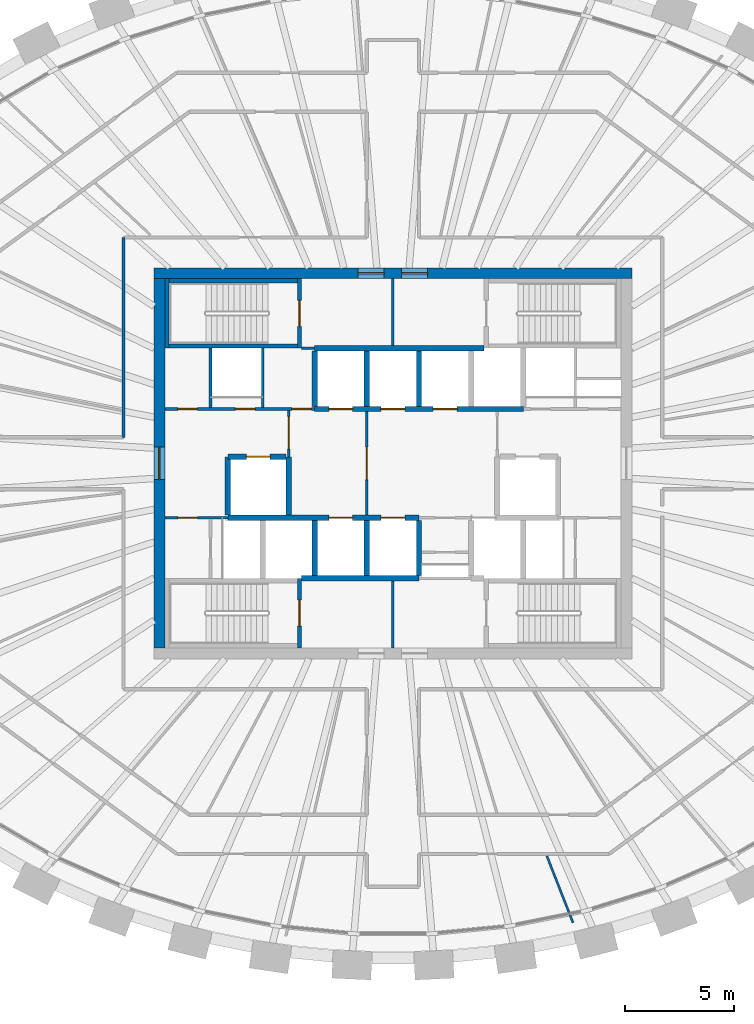
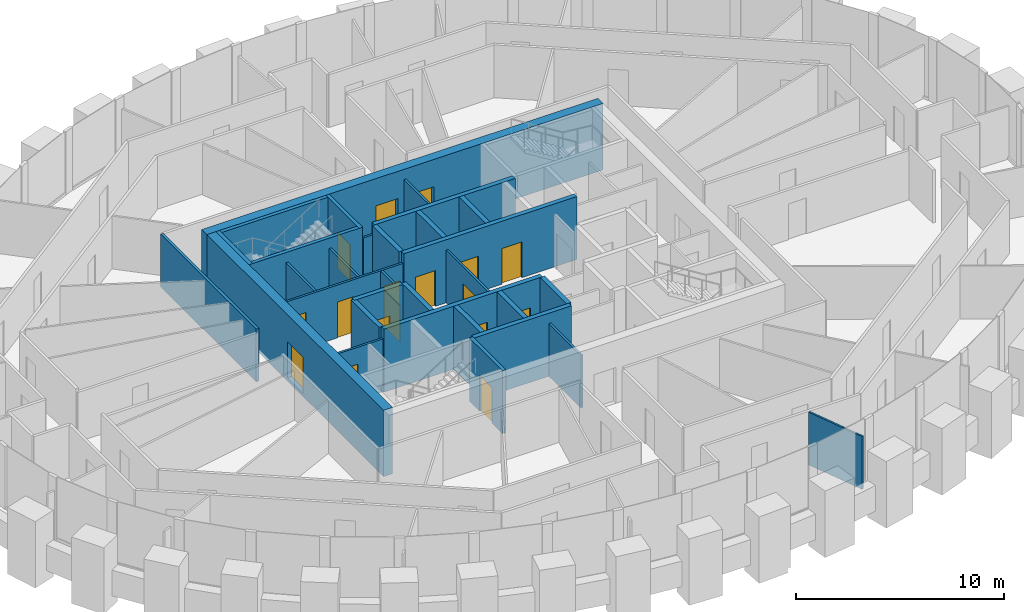
# One storey, part 7 of 12: 31 walls, 17 doors, 17 openings.
"""IFC4 building model written with IfcOpenShell, lengths in metres."""

from ifc_helpers import new_model, si_unit, direction, frame, frame_2d, origin, place, context, subcontext, project, spatial, rectangle, extrude, source, transform, mapped, material, layer, layer_set, type_object, element, fill, save


model = new_model("IFC4")

# Units and contexts
model_context = context("Model", 3, precision=1e-05, world=origin(), true_north=direction((0.0, 1.0)))
body_context = subcontext(model_context, "Body", "Model", "MODEL_VIEW")
ifc_project = project(units=[si_unit("LENGTHUNIT", "METRE"), si_unit("AREAUNIT", "SQUARE_METRE"), si_unit("VOLUMEUNIT", "CUBIC_METRE"), si_unit("PLANEANGLEUNIT", "RADIAN"), si_unit("MASSUNIT", "GRAM", prefix="KILO")], contexts=[model_context])

# Site, building, storey
site_placement = place(None, origin())
site = spatial("IfcSite", under=ifc_project, at=site_placement, CompositionType="ELEMENT")
building_placement = place(site_placement, origin())
building = spatial("IfcBuilding", under=site, at=building_placement, Name="Embergate Tower", CompositionType="ELEMENT")
storey_placement = place(building_placement, frame((0.0, 0.0, 320.800048828125)))
storey = spatial("IfcBuildingStorey", under=building, at=storey_placement, Name="L75", CompositionType="ELEMENT", Elevation=320.800048828125)

# Wall, openings, doors
ifc_material_1 = material(Name="Concrete C50", Category="concrete")
ifc_layer_1 = layer(ifc_material_1, 0.5)
ifc_layer_set_1 = layer_set([ifc_layer_1], Name="Concrete C50")
wall_type_1 = type_object("IfcWallType", Name="Core outer wall C50 500", PredefinedType="SHEAR", material=ifc_layer_set_1)
shared_shape_1 = source(origin(), body_context, "Body", "SweptSolid", [
    extrude(rectangle(XDim=22.0, YDim=0.5, at=frame_2d((11.0, 0.0))), origin(), (0.0, 0.0, 1.0), 3.89990234375),
])
wall_1_placement = place(storey_placement, frame((-11.0, 8.75, -0.199951171875), z_axis=(0.0, 0.0, 1.0), x_axis=(1.0, 0.0, 0.0)))
wall_1 = element("IfcWall", 1, at=wall_1_placement, inside=storey, type_object=wall_type_1, Name="CW-L75-N", PredefinedType="SHEAR", context=body_context, shape_type="MappedRepresentation", body=[
    mapped(shared_shape_1, transform((0.0, 0.0, 0.0))),
])
shared_shape_2 = source(origin(), body_context, "Body", "SweptSolid", [
    extrude(rectangle(XDim=1.199951171875, YDim=2.10009765625, at=frame_2d((0.60009765625, 1.050048828125))), frame((0.0, 0.260009765625, 0.0), z_axis=(0.0, -1.0, 0.0), x_axis=(1.0, 0.0, 0.0)), (0.0, 0.0, 1.0), 0.52001953125),
])
opening_1_placement = place(wall_1_placement, frame((9.39990234375, 0.0, 0.199951171875)))
opening_1 = element("IfcOpeningElement", 2, at=opening_1_placement, cuts=wall_1, Name="Opening IF-1", PredefinedType="OPENING", context=body_context, shape_type="MappedRepresentation", body=[
    mapped(shared_shape_2, transform((0.0, 0.0, 0.0))),
])
opening_2_placement = place(wall_1_placement, frame((11.39990234375, 0.0, 0.199951171875)))
opening_2 = element("IfcOpeningElement", 3, at=opening_2_placement, cuts=wall_1, Name="Opening IF-1", PredefinedType="OPENING", context=body_context, shape_type="MappedRepresentation", body=[
    mapped(shared_shape_2, transform((0.0, 0.0, 0.0))),
])
ifc_material_2 = material(Name="Escape fire door 1200")
door_type_1 = type_object("IfcDoorType", Name="Escape fire door 1200", OperationType="SINGLE_SWING_LEFT", PredefinedType="DOOR", material=ifc_material_2)
shared_shape_3 = source(origin(), body_context, "Body", "SweptSolid", [
    extrude(rectangle(XDim=1.199951171875, YDim=2.10009765625, at=frame_2d((0.60009765625, 1.050048828125))), frame((0.0, 0.02490234375, 0.0), z_axis=(0.0, -1.0, 0.0), x_axis=(1.0, 0.0, 0.0)), (0.0, 0.0, 1.0), 0.050048828125),
])
door_1_placement = place(opening_1_placement, origin())
door_1 = element("IfcDoor", 4, at=door_1_placement, inside=storey, type_object=door_type_1, Name="IF-1 door", OperationType="SINGLE_SWING_LEFT", OverallHeight=2.10009765625, OverallWidth=1.199951171875, PredefinedType="DOOR", context=body_context, shape_type="MappedRepresentation", body=[
    mapped(shared_shape_3, transform((0.0, 0.0, 0.0))),
])
fill(opening_1, door_1)
door_2_placement = place(opening_2_placement, origin())
door_2 = element("IfcDoor", 5, at=door_2_placement, inside=storey, type_object=door_type_1, Name="IF-1 door", OperationType="SINGLE_SWING_RIGHT", OverallHeight=2.10009765625, OverallWidth=1.199951171875, PredefinedType="DOOR", context=body_context, shape_type="MappedRepresentation", body=[
    mapped(shared_shape_3, transform((0.0, 0.0, 0.0))),
])
fill(opening_2, door_2)

# Wall, opening, door
shared_shape_4 = source(origin(), body_context, "Body", "SweptSolid", [
    extrude(rectangle(XDim=17.0, YDim=0.5, at=frame_2d((8.5, 0.0))), origin(), (0.0, 0.0, 1.0), 3.89990234375),
])
wall_2_placement = place(storey_placement, frame((-10.75, -8.5, -0.199951171875), z_axis=(0.0, 0.0, 1.0), x_axis=(0.0, 1.0, 0.0)))
wall_2 = element("IfcWall", 6, at=wall_2_placement, inside=storey, type_object=wall_type_1, Name="CW-L75-W", PredefinedType="SHEAR", context=body_context, shape_type="MappedRepresentation", body=[
    mapped(shared_shape_4, transform((0.0, 0.0, 0.0))),
])
shared_shape_5 = source(origin(), body_context, "Body", "SweptSolid", [
    extrude(rectangle(XDim=1.5, YDim=2.10009765625, at=frame_2d((0.75, 1.050048828125))), frame((0.0, 0.260009765625, 0.0), z_axis=(0.0, -1.0, 0.0), x_axis=(1.0, 0.0, 0.0)), (0.0, 0.0, 1.0), 0.52001953125),
])
opening_3_placement = place(wall_2_placement, frame((7.75, 0.0, 0.199951171875)))
opening_3 = element("IfcOpeningElement", 7, at=opening_3_placement, cuts=wall_2, Name="Opening IF-3", PredefinedType="OPENING", context=body_context, shape_type="MappedRepresentation", body=[
    mapped(shared_shape_5, transform((0.0, 0.0, 0.0))),
])
ifc_material_3 = material(Name="Lobby fire door pair 1500")
door_type_2 = type_object("IfcDoorType", Name="Lobby fire door pair 1500", OperationType="DOUBLE_DOOR_SINGLE_SWING", PredefinedType="DOOR", material=ifc_material_3)
shared_shape_6 = source(origin(), body_context, "Body", "SweptSolid", [
    extrude(rectangle(XDim=1.5, YDim=2.10009765625, at=frame_2d((0.75, 1.050048828125))), frame((0.0, 0.02490234375, 0.0), z_axis=(0.0, -1.0, 0.0), x_axis=(1.0, 0.0, 0.0)), (0.0, 0.0, 1.0), 0.050048828125),
])
door_3_placement = place(opening_3_placement, origin())
door_3 = element("IfcDoor", 8, at=door_3_placement, inside=storey, type_object=door_type_2, Name="IF-3 door", OperationType="DOUBLE_DOOR_SINGLE_SWING", OverallHeight=2.10009765625, OverallWidth=1.5, PredefinedType="DOOR", context=body_context, shape_type="MappedRepresentation", body=[
    mapped(shared_shape_6, transform((0.0, 0.0, 0.0))),
])
fill(opening_3, door_3)

# Wall
ifc_layer_2 = layer(ifc_material_1, 0.25)
ifc_layer_set_2 = layer_set([ifc_layer_2], Name="Concrete C50")
wall_type_2 = type_object("IfcWallType", Name="Hoistway wall reinforced concrete 250", PredefinedType="SHEAR", material=ifc_layer_set_2)
shared_shape_7 = source(origin(), body_context, "Body", "SweptSolid", [
    extrude(rectangle(XDim=2.675048828125, YDim=0.25, at=frame_2d((1.33740234375, 0.0))), origin(), (0.0, 0.0, 1.0), 3.699951171875),
])
wall_3_placement = place(storey_placement, frame((-4.800048828125, 0.300048828125, 0.0), z_axis=(0.0, 0.0, 1.0), x_axis=(0.0, -1.0, 0.0)))
element("IfcWall", 9, at=wall_3_placement, inside=storey, type_object=wall_type_2, Name="HW-1 wall", PredefinedType="SHEAR", context=body_context, shape_type="MappedRepresentation", body=[
    mapped(shared_shape_7, transform((0.0, 0.0, 0.0))),
])

# Wall, opening, door
wall_4_placement = place(storey_placement, frame((-4.925048828125, 0.300048828125, 0.0), z_axis=(0.0, 0.0, 1.0), x_axis=(-1.0, 0.0, 0.0)))
wall_4 = element("IfcWall", 10, at=wall_4_placement, inside=storey, type_object=wall_type_2, Name="HW-1 wall", PredefinedType="SHEAR", context=body_context, shape_type="MappedRepresentation", body=[
    mapped(shared_shape_7, transform((0.0, 0.0, 0.0))),
])
shared_shape_8 = source(origin(), body_context, "Body", "SweptSolid", [
    extrude(rectangle(XDim=1.10009765625, YDim=2.10009765625, at=frame_2d((0.550048828125, 1.050048828125))), frame((0.0, 0.135009765625, 0.0), z_axis=(0.0, -1.0, 0.0), x_axis=(1.0, 0.0, 0.0)), (0.0, 0.0, 1.0), 0.27001953125),
])
opening_4_placement = place(wall_4_placement, frame((0.72509765625, 0.0, 0.0)))
opening_4 = element("IfcOpeningElement", 11, at=opening_4_placement, cuts=wall_4, Name="Opening LD", PredefinedType="OPENING", context=body_context, shape_type="MappedRepresentation", body=[
    mapped(shared_shape_8, transform((0.0, 0.0, 0.0))),
])
ifc_material_4 = material(Name="Landing door sliding 1100")
door_type_3 = type_object("IfcDoorType", Name="Landing door sliding 1100", OperationType="SLIDING_TO_LEFT", PredefinedType="DOOR", material=ifc_material_4)
shared_shape_9 = source(origin(), body_context, "Body", "SweptSolid", [
    extrude(rectangle(XDim=1.10009765625, YDim=2.10009765625, at=frame_2d((0.550048828125, 1.050048828125))), frame((0.0, 0.02490234375, 0.0), z_axis=(0.0, -1.0, 0.0), x_axis=(1.0, 0.0, 0.0)), (0.0, 0.0, 1.0), 0.050048828125),
])
door_4_placement = place(opening_4_placement, origin())
door_4 = element("IfcDoor", 12, at=door_4_placement, inside=storey, type_object=door_type_3, Name="LD door", OperationType="SLIDING_TO_RIGHT", OverallHeight=2.10009765625, OverallWidth=1.10009765625, PredefinedType="DOOR", context=body_context, shape_type="MappedRepresentation", body=[
    mapped(shared_shape_9, transform((0.0, 0.0, 0.0))),
])
fill(opening_4, door_4)

# Walls
wall_5_placement = place(storey_placement, frame((-7.60009765625, 0.300048828125, 0.0), z_axis=(0.0, 0.0, 1.0), x_axis=(0.0, -1.0, 0.0)))
element("IfcWall", 13, at=wall_5_placement, inside=storey, type_object=wall_type_2, Name="HW-1 wall", PredefinedType="SHEAR", context=body_context, shape_type="MappedRepresentation", body=[
    mapped(shared_shape_7, transform((0.0, 0.0, 0.0))),
])
ifc_layer_3 = layer(ifc_material_1, 0.199951171875)
ifc_layer_set_3 = layer_set([ifc_layer_3], Name="Concrete C50")
wall_type_3 = type_object("IfcWallType", Name="Stair enclosure wall reinforced concrete 250", PredefinedType="SHEAR", material=ifc_layer_set_3)
shared_shape_10 = source(origin(), body_context, "Body", "SweptSolid", [
    extrude(rectangle(XDim=6.300048828125, YDim=0.199951171875, at=frame_2d((3.14990234375, 0.0))), origin(), (0.0, 0.0, 1.0), 3.699951171875),
])
wall_6_placement = place(storey_placement, frame((-4.199951171875, 5.39990234375, 0.0), z_axis=(0.0, 0.0, 1.0), x_axis=(-1.0, 0.0, 0.0)))
element("IfcWall", 14, at=wall_6_placement, inside=storey, type_object=wall_type_3, Name="SE-1 wall", PredefinedType="SHEAR", context=body_context, shape_type="MappedRepresentation", body=[
    mapped(shared_shape_10, transform((0.0, 0.0, 0.0))),
])
shared_shape_11 = source(origin(), body_context, "Body", "SweptSolid", [
    extrude(rectangle(XDim=2.550048828125, YDim=0.25, at=frame_2d((1.27490234375, 0.0))), origin(), (0.0, 0.0, 1.0), 3.699951171875),
])
for number, where, z_axis, x_axis, name in (
    (15, (-1.199951171875, 2.625, 0.0), (0.0, 0.0, 1.0), (0.0, 1.0, 0.0), "HW-1 wall"),
    (16, (-3.60009765625, 5.175048828125, 0.0), (0.0, 0.0, 1.0), (0.0, -1.0, 0.0), "HW-1 wall"),
    (17, (1.199951171875, 2.625, 0.0), (0.0, 0.0, 1.0), (0.0, 1.0, 0.0), "HW-1 wall"),
    (18, (-3.60009765625, -5.175048828125, 0.0), (0.0, 0.0, 1.0), (0.0, 1.0, 0.0), "HW-1 wall"),
    (19, (-1.199951171875, -5.175048828125, 0.0), (0.0, 0.0, 1.0), (0.0, 1.0, 0.0), "HW-1 wall"),
    (20, (1.199951171875, -5.175048828125, 0.0), (0.0, 0.0, 1.0), (0.0, 1.0, 0.0), "HW-1 wall"),
):
    element("IfcWall", number, at=place(storey_placement, frame(where, z_axis=z_axis, x_axis=x_axis)), inside=storey, type_object=wall_type_2, Name=name, PredefinedType="SHEAR", context=body_context, shape_type="MappedRepresentation", body=[
        mapped(shared_shape_11, transform((0.0, 0.0, 0.0))),
    ])

# Wall, opening, door
shared_shape_12 = source(origin(), body_context, "Body", "SweptSolid", [
    extrude(rectangle(XDim=3.199951171875, YDim=0.199951171875, at=frame_2d((1.60009765625, 0.0))), origin(), (0.0, 0.0, 1.0), 3.699951171875),
])
wall_7_placement = place(storey_placement, frame((-4.300048828125, 5.300048828125, 0.0), z_axis=(0.0, 0.0, 1.0), x_axis=(0.0, 1.0, 0.0)))
wall_7 = element("IfcWall", 21, at=wall_7_placement, inside=storey, type_object=wall_type_3, Name="SE-1 wall", PredefinedType="SHEAR", context=body_context, shape_type="MappedRepresentation", body=[
    mapped(shared_shape_12, transform((0.0, 0.0, 0.0))),
])
shared_shape_13 = source(origin(), body_context, "Body", "SweptSolid", [
    extrude(rectangle(XDim=1.199951171875, YDim=2.10009765625, at=frame_2d((0.60009765625, 1.050048828125))), frame((0.0, 0.10986328125, 0.0), z_axis=(0.0, -1.0, 0.0), x_axis=(1.0, 0.0, 0.0)), (0.0, 0.0, 1.0), 0.219970703125),
])
opening_5_placement = place(wall_7_placement, frame((1.0, 0.0, 0.0)))
opening_5 = element("IfcOpeningElement", 22, at=opening_5_placement, cuts=wall_7, Name="Opening IF-2", PredefinedType="OPENING", context=body_context, shape_type="MappedRepresentation", body=[
    mapped(shared_shape_13, transform((0.0, 0.0, 0.0))),
])
ifc_material_5 = material(Name="Stair enclosure door 1200")
door_type_4 = type_object("IfcDoorType", Name="Stair enclosure door 1200", OperationType="SINGLE_SWING_LEFT", PredefinedType="DOOR", material=ifc_material_5)
door_5_placement = place(opening_5_placement, origin())
door_5 = element("IfcDoor", 23, at=door_5_placement, inside=storey, type_object=door_type_4, Name="IF-2 door", OperationType="SINGLE_SWING_LEFT", OverallHeight=2.10009765625, OverallWidth=1.199951171875, PredefinedType="DOOR", context=body_context, shape_type="MappedRepresentation", body=[
    mapped(shared_shape_3, transform((0.0, 0.0, 0.0))),
])
fill(opening_5, door_5)

wall_8_placement = place(storey_placement, frame((-4.300048828125, -8.5, 0.0), z_axis=(0.0, 0.0, 1.0), x_axis=(0.0, 1.0, 0.0)))
wall_8 = element("IfcWall", 24, at=wall_8_placement, inside=storey, type_object=wall_type_3, Name="SE-1 wall", PredefinedType="SHEAR", context=body_context, shape_type="MappedRepresentation", body=[
    mapped(shared_shape_12, transform((0.0, 0.0, 0.0))),
])
opening_6_placement = place(wall_8_placement, frame((1.0, 0.0, 0.0)))
opening_6 = element("IfcOpeningElement", 25, at=opening_6_placement, cuts=wall_8, Name="Opening IF-2", PredefinedType="OPENING", context=body_context, shape_type="MappedRepresentation", body=[
    mapped(shared_shape_13, transform((0.0, 0.0, 0.0))),
])
door_6_placement = place(opening_6_placement, origin())
door_6 = element("IfcDoor", 26, at=door_6_placement, inside=storey, type_object=door_type_4, Name="IF-2 door", OperationType="SINGLE_SWING_RIGHT", OverallHeight=2.10009765625, OverallWidth=1.199951171875, PredefinedType="DOOR", context=body_context, shape_type="MappedRepresentation", body=[
    mapped(shared_shape_3, transform((0.0, 0.0, 0.0))),
])
fill(opening_6, door_6)

# Walls
ifc_material_6 = material(Name="Core partition blockwork 120")
ifc_layer_4 = layer(ifc_material_6, 0.1201171875)
ifc_layer_set_4 = layer_set([ifc_layer_4], Name="Core partition blockwork 120")
wall_type_4 = type_object("IfcWallType", Name="Core partition blockwork 120", PredefinedType="PARTITIONING", material=ifc_layer_set_4)
shared_shape_14 = source(origin(), body_context, "Body", "SweptSolid", [
    extrude(rectangle(XDim=2.739990234375, YDim=0.1201171875, at=frame_2d((1.3701171875, 0.0))), origin(), (0.0, 0.0, 1.0), 3.099853515625),
])
for number, where, z_axis, x_axis, name in (
    (27, (-6.0, 2.56005859375, 0.0), (0.0, 0.0, 1.0), (0.0, 1.0, 0.0), "IP-3 wall"),
    (28, (-8.39990234375, 5.300048828125, 0.0), (0.0, 0.0, 1.0), (0.0, -1.0, 0.0), "IP-3 wall"),
):
    element("IfcWall", number, at=place(storey_placement, frame(where, z_axis=z_axis, x_axis=x_axis)), inside=storey, type_object=wall_type_4, Name=name, PredefinedType="PARTITIONING", context=body_context, shape_type="MappedRepresentation", body=[
        mapped(shared_shape_14, transform((0.0, 0.0, 0.0))),
    ])

# Wall, opening, door
shared_shape_15 = source(origin(), body_context, "Body", "SweptSolid", [
    extrude(rectangle(XDim=4.75, YDim=0.1201171875, at=frame_2d((2.375, 0.0))), origin(), (0.0, 0.0, 1.0), 3.099853515625),
])
wall_9_placement = place(storey_placement, frame((-1.199951171875, -2.375, 0.0), z_axis=(0.0, 0.0, 1.0), x_axis=(0.0, 1.0, 0.0)))
wall_9 = element("IfcWall", 29, at=wall_9_placement, inside=storey, type_object=wall_type_4, Name="IP-3 wall", PredefinedType="PARTITIONING", context=body_context, shape_type="MappedRepresentation", body=[
    mapped(shared_shape_15, transform((0.0, 0.0, 0.0))),
])
shared_shape_16 = source(origin(), body_context, "Body", "SweptSolid", [
    extrude(rectangle(XDim=1.5, YDim=2.10009765625, at=frame_2d((0.75, 1.050048828125))), frame((0.0, 0.070068359375, 0.0), z_axis=(0.0, -1.0, 0.0), x_axis=(1.0, 0.0, 0.0)), (0.0, 0.0, 1.0), 0.14013671875),
])
opening_7_placement = place(wall_9_placement, frame((1.625, 0.0, 0.0)))
opening_7 = element("IfcOpeningElement", 30, at=opening_7_placement, cuts=wall_9, Name="Opening IF-3", PredefinedType="OPENING", context=body_context, shape_type="MappedRepresentation", body=[
    mapped(shared_shape_16, transform((0.0, 0.0, 0.0))),
])
door_7_placement = place(opening_7_placement, origin())
door_7 = element("IfcDoor", 31, at=door_7_placement, inside=storey, type_object=door_type_2, Name="IF-3 door", OperationType="DOUBLE_DOOR_SINGLE_SWING", OverallHeight=2.10009765625, OverallWidth=1.5, PredefinedType="DOOR", context=body_context, shape_type="MappedRepresentation", body=[
    mapped(shared_shape_6, transform((0.0, 0.0, 0.0))),
])
fill(opening_7, door_7)

# Walls
ifc_material_7 = material(Name="Corridor wall dry-lined 150")
ifc_layer_5 = layer(ifc_material_7, 0.14990234375)
ifc_layer_set_5 = layer_set([ifc_layer_5], Name="Corridor wall dry-lined 150")
wall_type_5 = type_object("IfcWallType", Name="Corridor wall dry-lined 150", PredefinedType="PARTITIONING", material=ifc_layer_set_5)
shared_shape_17 = source(origin(), body_context, "Body", "SweptSolid", [
    extrude(rectangle(XDim=9.199951171875, YDim=0.14990234375, at=frame_2d((4.60009765625, 0.0))), origin(), (0.0, 0.0, 1.0), 3.099853515625),
])
wall_10_placement = place(storey_placement, frame((-12.39990234375, 10.39990234375, 0.0), z_axis=(0.0, 0.0, 1.0), x_axis=(0.0, -1.0, 0.0)))
element("IfcWall", 32, at=wall_10_placement, inside=storey, type_object=wall_type_5, Name="IP-2 wall", PredefinedType="PARTITIONING", context=body_context, shape_type="MappedRepresentation", body=[
    mapped(shared_shape_17, transform((0.0, 0.0, 0.0))),
])
shared_shape_18 = source(origin(), body_context, "Body", "SweptSolid", [
    extrude(rectangle(XDim=7.800048828125, YDim=0.25, at=frame_2d((3.89990234375, 0.0))), origin(), (0.0, 0.0, 1.0), 3.699951171875),
])
wall_11_placement = place(storey_placement, frame((4.199951171875, 5.300048828125, 0.0), z_axis=(0.0, 0.0, 1.0), x_axis=(-1.0, 0.0, 0.0)))
element("IfcWall", 33, at=wall_11_placement, inside=storey, type_object=wall_type_2, Name="HW-1 wall", PredefinedType="SHEAR", context=body_context, shape_type="MappedRepresentation", body=[
    mapped(shared_shape_18, transform((0.0, 0.0, 0.0))),
])

# Wall, openings, doors
shared_shape_19 = source(origin(), body_context, "Body", "SweptSolid", [
    extrude(rectangle(XDim=8.800048828125, YDim=0.25, at=frame_2d((4.39990234375, 0.0))), origin(), (0.0, 0.0, 1.0), 3.699951171875),
])
wall_12_placement = place(storey_placement, frame((1.199951171875, -2.5, 0.0), z_axis=(0.0, 0.0, 1.0), x_axis=(-1.0, 0.0, 0.0)))
wall_12 = element("IfcWall", 34, at=wall_12_placement, inside=storey, type_object=wall_type_2, Name="HW-1 wall", PredefinedType="SHEAR", context=body_context, shape_type="MappedRepresentation", body=[
    mapped(shared_shape_19, transform((0.0, 0.0, 0.0))),
])
opening_8_placement = place(wall_12_placement, frame((3.050048828125, 0.0, 0.0)))
opening_8 = element("IfcOpeningElement", 35, at=opening_8_placement, cuts=wall_12, Name="Opening LD", PredefinedType="OPENING", context=body_context, shape_type="MappedRepresentation", body=[
    mapped(shared_shape_8, transform((0.0, 0.0, 0.0))),
])
opening_9_placement = place(wall_12_placement, frame((0.64990234375, 0.0, 0.0)))
opening_9 = element("IfcOpeningElement", 36, at=opening_9_placement, cuts=wall_12, Name="Opening LD", PredefinedType="OPENING", context=body_context, shape_type="MappedRepresentation", body=[
    mapped(shared_shape_8, transform((0.0, 0.0, 0.0))),
])
door_8_placement = place(opening_8_placement, origin())
door_8 = element("IfcDoor", 37, at=door_8_placement, inside=storey, type_object=door_type_3, Name="LD door", OperationType="SLIDING_TO_RIGHT", OverallHeight=2.10009765625, OverallWidth=1.10009765625, PredefinedType="DOOR", context=body_context, shape_type="MappedRepresentation", body=[
    mapped(shared_shape_9, transform((0.0, 0.0, 0.0))),
])
fill(opening_8, door_8)
door_9_placement = place(opening_9_placement, origin())
door_9 = element("IfcDoor", 38, at=door_9_placement, inside=storey, type_object=door_type_3, Name="LD door", OperationType="SLIDING_TO_RIGHT", OverallHeight=2.10009765625, OverallWidth=1.10009765625, PredefinedType="DOOR", context=body_context, shape_type="MappedRepresentation", body=[
    mapped(shared_shape_9, transform((0.0, 0.0, 0.0))),
])
fill(opening_9, door_9)

# Wall, opening, door
shared_shape_20 = source(origin(), body_context, "Body", "SweptSolid", [
    extrude(rectangle(XDim=2.89990234375, YDim=0.1201171875, at=frame_2d((1.449951171875, 0.0))), origin(), (0.0, 0.0, 1.0), 3.099853515625),
])
wall_13_placement = place(storey_placement, frame((-7.60009765625, -2.5, 0.0), z_axis=(0.0, 0.0, 1.0), x_axis=(-1.0, 0.0, 0.0)))
wall_13 = element("IfcWall", 39, at=wall_13_placement, inside=storey, type_object=wall_type_4, Name="IP-3 wall", PredefinedType="PARTITIONING", context=body_context, shape_type="MappedRepresentation", body=[
    mapped(shared_shape_20, transform((0.0, 0.0, 0.0))),
])
shared_shape_21 = source(origin(), body_context, "Body", "SweptSolid", [
    extrude(rectangle(XDim=0.89990234375, YDim=2.10009765625, at=frame_2d((0.449951171875, 1.050048828125))), frame((0.0, 0.070068359375, 0.0), z_axis=(0.0, -1.0, 0.0), x_axis=(1.0, 0.0, 0.0)), (0.0, 0.0, 1.0), 0.14013671875),
])
opening_10_placement = place(wall_13_placement, frame((1.39990234375, 0.0, 0.0)))
opening_10 = element("IfcOpeningElement", 40, at=opening_10_placement, cuts=wall_13, Name="Opening ID-1", PredefinedType="OPENING", context=body_context, shape_type="MappedRepresentation", body=[
    mapped(shared_shape_21, transform((0.0, 0.0, 0.0))),
])
ifc_material_8 = material(Name="Interior door 900")
door_type_5 = type_object("IfcDoorType", Name="Interior door 900", OperationType="SINGLE_SWING_LEFT", PredefinedType="DOOR", material=ifc_material_8)
shared_shape_22 = source(origin(), body_context, "Body", "SweptSolid", [
    extrude(rectangle(XDim=0.89990234375, YDim=2.10009765625, at=frame_2d((0.449951171875, 1.050048828125))), frame((0.0, 0.02490234375, 0.0), z_axis=(0.0, -1.0, 0.0), x_axis=(1.0, 0.0, 0.0)), (0.0, 0.0, 1.0), 0.050048828125),
])
door_10_placement = place(opening_10_placement, origin())
door_10 = element("IfcDoor", 41, at=door_10_placement, inside=storey, type_object=door_type_5, Name="ID-1 door", OperationType="SINGLE_SWING_LEFT", OverallHeight=2.10009765625, OverallWidth=0.89990234375, PredefinedType="DOOR", context=body_context, shape_type="MappedRepresentation", body=[
    mapped(shared_shape_22, transform((0.0, 0.0, 0.0))),
])
fill(opening_10, door_10)

# Wall
shared_shape_23 = source(origin(), body_context, "Body", "SweptSolid", [
    extrude(rectangle(XDim=5.39990234375, YDim=0.25, at=frame_2d((2.699951171875, 0.0))), origin(), (0.0, 0.0, 1.0), 3.699951171875),
])
wall_14_placement = place(storey_placement, frame((-4.199951171875, -5.300048828125, 0.0), z_axis=(0.0, 0.0, 1.0), x_axis=(1.0, 0.0, 0.0)))
element("IfcWall", 42, at=wall_14_placement, inside=storey, type_object=wall_type_2, Name="HW-1 wall", PredefinedType="SHEAR", context=body_context, shape_type="MappedRepresentation", body=[
    mapped(shared_shape_23, transform((0.0, 0.0, 0.0))),
])

# Wall, opening, door
shared_shape_24 = source(origin(), body_context, "Body", "SweptSolid", [
    extrude(rectangle(XDim=2.139892578125, YDim=0.1201171875, at=frame_2d((1.06982421875, 0.0))), origin(), (0.0, 0.0, 1.0), 3.099853515625),
])
wall_15_placement = place(storey_placement, frame((-4.800048828125, 2.43994140625, 0.0), z_axis=(0.0, 0.0, 1.0), x_axis=(0.0, -1.0, 0.0)))
wall_15 = element("IfcWall", 43, at=wall_15_placement, inside=storey, type_object=wall_type_4, Name="IP-3 wall", PredefinedType="PARTITIONING", context=body_context, shape_type="MappedRepresentation", body=[
    mapped(shared_shape_24, transform((0.0, 0.0, 0.0))),
])
opening_11_placement = place(wall_15_placement, frame((0.2900390625, 0.0, 0.0)))
opening_11 = element("IfcOpeningElement", 44, at=opening_11_placement, cuts=wall_15, Name="Opening IF-3", PredefinedType="OPENING", context=body_context, shape_type="MappedRepresentation", body=[
    mapped(shared_shape_16, transform((0.0, 0.0, 0.0))),
])
door_11_placement = place(opening_11_placement, origin())
door_11 = element("IfcDoor", 45, at=door_11_placement, inside=storey, type_object=door_type_2, Name="IF-3 door", OperationType="DOUBLE_DOOR_SINGLE_SWING", OverallHeight=2.10009765625, OverallWidth=1.5, PredefinedType="DOOR", context=body_context, shape_type="MappedRepresentation", body=[
    mapped(shared_shape_6, transform((0.0, 0.0, 0.0))),
])
fill(opening_11, door_11)

# Walls
shared_shape_25 = source(origin(), body_context, "Body", "SweptSolid", [
    extrude(rectangle(XDim=3.074951171875, YDim=0.1201171875, at=frame_2d((1.53759765625, 0.0))), origin(), (0.0, 0.0, 1.0), 3.099853515625),
])
for number, where, z_axis, x_axis, name in (
    (46, (0.0, 5.425048828125, 0.0), (0.0, 0.0, 1.0), (0.0, 1.0, 0.0), "IP-3 wall"),
    (47, (0.0, -8.5, 0.0), (0.0, 0.0, 1.0), (0.0, 1.0, 0.0), "IP-3 wall"),
):
    element("IfcWall", number, at=place(storey_placement, frame(where, z_axis=z_axis, x_axis=x_axis)), inside=storey, type_object=wall_type_4, Name=name, PredefinedType="PARTITIONING", context=body_context, shape_type="MappedRepresentation", body=[
        mapped(shared_shape_25, transform((0.0, 0.0, 0.0))),
    ])
shared_shape_26 = source(origin(), body_context, "Body", "SweptSolid", [
    extrude(rectangle(XDim=0.599853515625, YDim=0.1201171875, at=frame_2d((0.2998046875, 0.0))), origin(), (0.0, 0.0, 1.0), 3.099853515625),
])
wall_16_placement = place(storey_placement, frame((-4.199951171875, 5.300048828125, 0.0), z_axis=(0.0, 0.0, 1.0), x_axis=(1.0, 0.0, 0.0)))
element("IfcWall", 48, at=wall_16_placement, inside=storey, type_object=wall_type_4, Name="IP-3 wall", PredefinedType="PARTITIONING", context=body_context, shape_type="MappedRepresentation", body=[
    mapped(shared_shape_26, transform((0.0, 0.0, 0.0))),
])
shared_shape_27 = source(origin(), body_context, "Body", "SweptSolid", [
    extrude(rectangle(XDim=6.298095703125, YDim=0.199951171875, at=frame_2d((3.14892578125, 0.0))), origin(), (0.0, 0.0, 1.0), 3.699951171875),
])
wall_17_placement = place(storey_placement, frame((-4.201904296875, 8.39990234375, 0.0), z_axis=(0.0, 0.0, 1.0), x_axis=(-1.0, 0.0, 0.0)))
element("IfcWall", 49, at=wall_17_placement, inside=storey, type_object=wall_type_3, Name="SE-1 wall", PredefinedType="SHEAR", context=body_context, shape_type="MappedRepresentation", body=[
    mapped(shared_shape_27, transform((0.0, 0.0, 0.0))),
])
shared_shape_28 = source(origin(), body_context, "Body", "SweptSolid", [
    extrude(rectangle(XDim=3.197998046875, YDim=0.199951171875, at=frame_2d((1.59912109375, 0.0))), origin(), (0.0, 0.0, 1.0), 3.699951171875),
])
wall_18_placement = place(storey_placement, frame((-10.39990234375, 8.5, 0.0), z_axis=(0.0, 0.0, 1.0), x_axis=(0.0, -1.0, 0.0)))
element("IfcWall", 50, at=wall_18_placement, inside=storey, type_object=wall_type_3, Name="SE-1 wall", PredefinedType="SHEAR", context=body_context, shape_type="MappedRepresentation", body=[
    mapped(shared_shape_28, transform((0.0, 0.0, 0.0))),
])

# Wall, openings, doors
shared_shape_29 = source(origin(), body_context, "Body", "SweptSolid", [
    extrude(rectangle(XDim=6.89990234375, YDim=0.1201171875, at=frame_2d((3.449951171875, 0.0))), origin(), (0.0, 0.0, 1.0), 3.099853515625),
])
wall_19_placement = place(storey_placement, frame((-10.5, 2.5, 0.0), z_axis=(0.0, 0.0, 1.0), x_axis=(1.0, 0.0, 0.0)))
wall_19 = element("IfcWall", 51, at=wall_19_placement, inside=storey, type_object=wall_type_4, Name="IP-3 wall", PredefinedType="PARTITIONING", context=body_context, shape_type="MappedRepresentation", body=[
    mapped(shared_shape_29, transform((0.0, 0.0, 0.0))),
])
opening_12_placement = place(wall_19_placement, frame((3.25, 0.0, 0.0)))
opening_12 = element("IfcOpeningElement", 52, at=opening_12_placement, cuts=wall_19, Name="Opening ID-1", PredefinedType="OPENING", context=body_context, shape_type="MappedRepresentation", body=[
    mapped(shared_shape_21, transform((0.0, 0.0, 0.0))),
])
opening_13_placement = place(wall_19_placement, frame((5.85009765625, 0.0, 0.0)))
opening_13 = element("IfcOpeningElement", 53, at=opening_13_placement, cuts=wall_19, Name="Opening ID-1", PredefinedType="OPENING", context=body_context, shape_type="MappedRepresentation", body=[
    mapped(shared_shape_21, transform((0.0, 0.0, 0.0))),
])
opening_14_placement = place(wall_19_placement, frame((0.60009765625, 0.0, 0.0)))
opening_14 = element("IfcOpeningElement", 54, at=opening_14_placement, cuts=wall_19, Name="Opening ID-1", PredefinedType="OPENING", context=body_context, shape_type="MappedRepresentation", body=[
    mapped(shared_shape_21, transform((0.0, 0.0, 0.0))),
])
door_12_placement = place(opening_12_placement, origin())
door_12 = element("IfcDoor", 55, at=door_12_placement, inside=storey, type_object=door_type_5, Name="ID-1 door", OperationType="SINGLE_SWING_LEFT", OverallHeight=2.10009765625, OverallWidth=0.89990234375, PredefinedType="DOOR", context=body_context, shape_type="MappedRepresentation", body=[
    mapped(shared_shape_22, transform((0.0, 0.0, 0.0))),
])
fill(opening_12, door_12)
door_13_placement = place(opening_13_placement, origin())
door_13 = element("IfcDoor", 56, at=door_13_placement, inside=storey, type_object=door_type_5, Name="ID-1 door", OperationType="SINGLE_SWING_RIGHT", OverallHeight=2.10009765625, OverallWidth=0.89990234375, PredefinedType="DOOR", context=body_context, shape_type="MappedRepresentation", body=[
    mapped(shared_shape_22, transform((0.0, 0.0, 0.0))),
])
fill(opening_13, door_13)
door_14_placement = place(opening_14_placement, origin())
door_14 = element("IfcDoor", 57, at=door_14_placement, inside=storey, type_object=door_type_5, Name="ID-1 door", OperationType="SINGLE_SWING_RIGHT", OverallHeight=2.10009765625, OverallWidth=0.89990234375, PredefinedType="DOOR", context=body_context, shape_type="MappedRepresentation", body=[
    mapped(shared_shape_22, transform((0.0, 0.0, 0.0))),
])
fill(opening_14, door_14)

shared_shape_30 = source(origin(), body_context, "Body", "SweptSolid", [
    extrude(rectangle(XDim=9.60009765625, YDim=0.25, at=frame_2d((4.800048828125, 0.0))), origin(), (0.0, 0.0, 1.0), 3.699951171875),
])
wall_20_placement = place(storey_placement, frame((-3.60009765625, 2.5, 0.0), z_axis=(0.0, 0.0, 1.0), x_axis=(1.0, 0.0, 0.0)))
wall_20 = element("IfcWall", 58, at=wall_20_placement, inside=storey, type_object=wall_type_2, Name="HW-1 wall", PredefinedType="SHEAR", context=body_context, shape_type="MappedRepresentation", body=[
    mapped(shared_shape_30, transform((0.0, 0.0, 0.0))),
])
opening_15_placement = place(wall_20_placement, frame((0.64990234375, 0.0, 0.0)))
opening_15 = element("IfcOpeningElement", 59, at=opening_15_placement, cuts=wall_20, Name="Opening LD", PredefinedType="OPENING", context=body_context, shape_type="MappedRepresentation", body=[
    mapped(shared_shape_8, transform((0.0, 0.0, 0.0))),
])
opening_16_placement = place(wall_20_placement, frame((3.050048828125, 0.0, 0.0)))
opening_16 = element("IfcOpeningElement", 60, at=opening_16_placement, cuts=wall_20, Name="Opening LD", PredefinedType="OPENING", context=body_context, shape_type="MappedRepresentation", body=[
    mapped(shared_shape_8, transform((0.0, 0.0, 0.0))),
])
opening_17_placement = place(wall_20_placement, frame((5.449951171875, 0.0, 0.0)))
opening_17 = element("IfcOpeningElement", 61, at=opening_17_placement, cuts=wall_20, Name="Opening LD", PredefinedType="OPENING", context=body_context, shape_type="MappedRepresentation", body=[
    mapped(shared_shape_8, transform((0.0, 0.0, 0.0))),
])
door_15_placement = place(opening_15_placement, origin())
door_15 = element("IfcDoor", 62, at=door_15_placement, inside=storey, type_object=door_type_3, Name="LD door", OperationType="SLIDING_TO_RIGHT", OverallHeight=2.10009765625, OverallWidth=1.10009765625, PredefinedType="DOOR", context=body_context, shape_type="MappedRepresentation", body=[
    mapped(shared_shape_9, transform((0.0, 0.0, 0.0))),
])
fill(opening_15, door_15)
door_16_placement = place(opening_16_placement, origin())
door_16 = element("IfcDoor", 63, at=door_16_placement, inside=storey, type_object=door_type_3, Name="LD door", OperationType="SLIDING_TO_LEFT", OverallHeight=2.10009765625, OverallWidth=1.10009765625, PredefinedType="DOOR", context=body_context, shape_type="MappedRepresentation", body=[
    mapped(shared_shape_9, transform((0.0, 0.0, 0.0))),
])
fill(opening_16, door_16)
door_17_placement = place(opening_17_placement, origin())
door_17 = element("IfcDoor", 64, at=door_17_placement, inside=storey, type_object=door_type_3, Name="LD door", OperationType="SLIDING_TO_LEFT", OverallHeight=2.10009765625, OverallWidth=1.10009765625, PredefinedType="DOOR", context=body_context, shape_type="MappedRepresentation", body=[
    mapped(shared_shape_9, transform((0.0, 0.0, 0.0))),
])
fill(opening_17, door_17)

# Wall
ifc_material_9 = material(Name="Partition dry-lined 100")
ifc_layer_6 = layer(ifc_material_9, 0.10009765625)
ifc_layer_set_6 = layer_set([ifc_layer_6], Name="Partition dry-lined 100")
wall_type_6 = type_object("IfcWallType", Name="Partition dry-lined 100", PredefinedType="PARTITIONING", material=ifc_layer_set_6)
shared_shape_31 = source(origin(), body_context, "Body", "SweptSolid", [
    extrude(rectangle(XDim=3.30322265625, YDim=0.10009765625, at=frame_2d((1.651611328125, 0.0))), origin(), (0.0, 0.0, 1.0), 3.099853515625),
])
wall_21_placement = place(storey_placement, frame((7.0859375, -18.076904296875, 0.0), z_axis=(0.0, 0.0, 1.0), x_axis=(0.365112649523, -0.930963346839, 0.0)))
element("IfcWall", 65, at=wall_21_placement, inside=storey, type_object=wall_type_6, Name="IP-1 wall", PredefinedType="PARTITIONING", context=body_context, shape_type="MappedRepresentation", body=[
    mapped(shared_shape_31, transform((0.0, 0.0, 0.0))),
])

save(model, "model.ifc")
